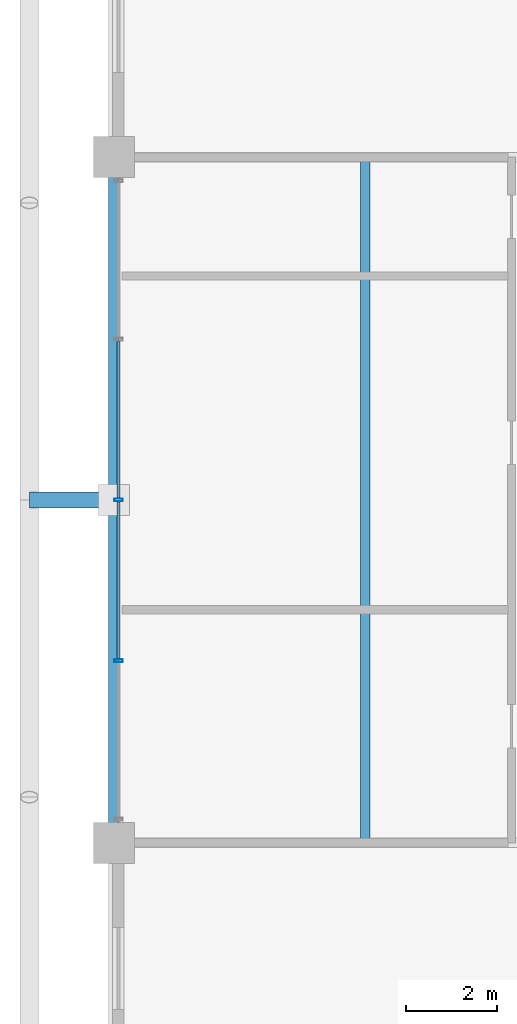
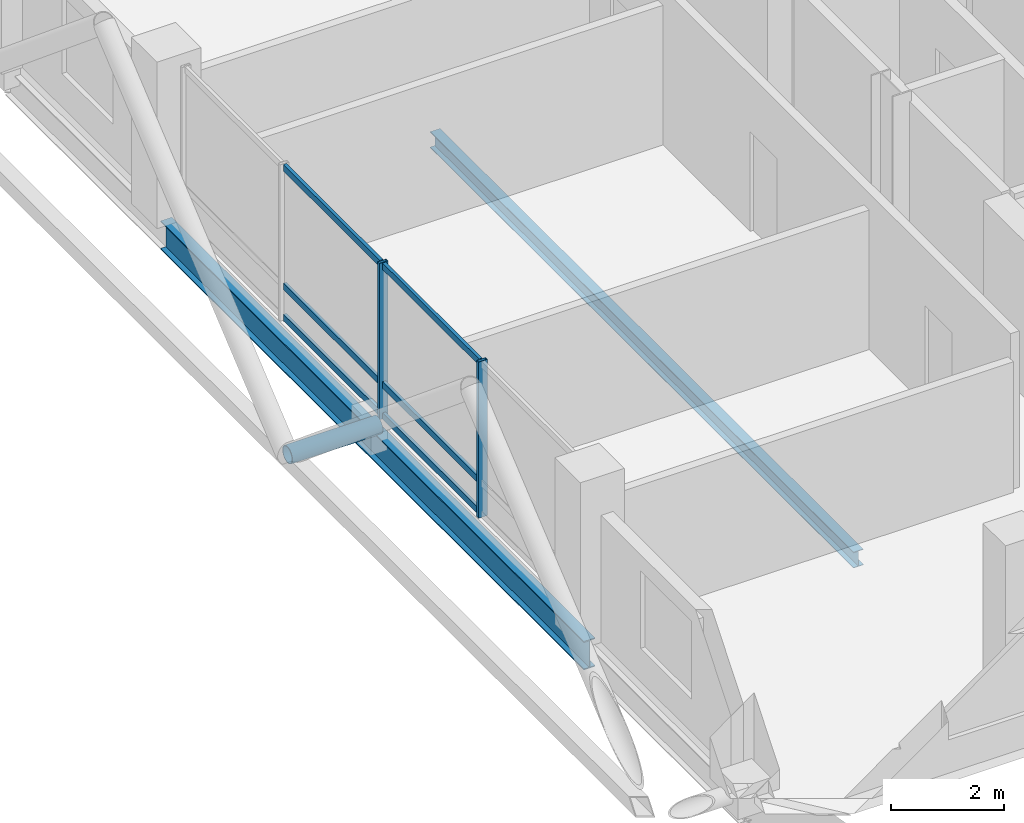
# One storey, part 8 of 24: 9 members, 2 beams, 1 element without a shape of its own.
"""IFC4 building model written with IfcOpenShell, lengths in metres."""

from ifc_helpers import new_model, si_unit, direction, frame, origin, origin_2d, place, context, subcontext, project, spatial, hollow_rectangle, hollow_circle, i_section, extrude, material, layer, layer_set, material_profile, profile_set, type_object, element, aggregate, save


model = new_model("IFC4")

# Units and contexts
model_context = context("Model", 3, precision=1e-05, world=origin(), true_north=direction((0.0, 1.0)))
body_context = subcontext(model_context, "Body", "Model", "MODEL_VIEW")
ifc_project = project(units=[si_unit("LENGTHUNIT", "METRE"), si_unit("AREAUNIT", "SQUARE_METRE"), si_unit("VOLUMEUNIT", "CUBIC_METRE"), si_unit("PLANEANGLEUNIT", "RADIAN"), si_unit("MASSUNIT", "GRAM", prefix="KILO")], contexts=[model_context])

# Site, building, storey
site_placement = place(None, origin())
site = spatial("IfcSite", under=ifc_project, at=site_placement, CompositionType="ELEMENT")
building_placement = place(site_placement, origin())
building = spatial("IfcBuilding", under=site, at=building_placement, Name="Barlavira Tower and Art Museum", CompositionType="ELEMENT")
storey_placement = place(building_placement, frame((0.0, 0.0, 272.699951171875)))
storey = spatial("IfcBuildingStorey", under=building, at=storey_placement, Name="L71", CompositionType="ELEMENT", Elevation=272.699951171875)

# Curtain wall, members
ifc_material_1 = material(Name="Low-iron coastal laminated glass", Category="glass")
ifc_layer = layer(ifc_material_1, 0.2099609375, Name="Low-iron coastal laminated glass")
ifc_layer_set = layer_set([ifc_layer], Name="Low-iron coastal laminated glass")
curtain_wall_type = type_object("IfcCurtainWallType", Name="Pale-Metal Unitised Curtain Wall Zone 4", PredefinedType="NOTDEFINED", material=ifc_layer_set)
curtain_wall_placement = place(storey_placement, origin())
curtain_wall = element("IfcCurtainWall", 1, at=curtain_wall_placement, inside=storey, type_object=curtain_wall_type, Name="L71 Curtain Wall CW4-L71-W-B3", PredefinedType="NOTDEFINED")
ifc_material_2 = material(Name="Pale anodised aluminium", Category="aluminium")
ifc_material_profile_1 = material_profile(ifc_material_2, hollow_rectangle(XDim=0.06494140625, YDim=0.179931640625, WallThickness=0.00390625, at=origin_2d()), Name="ALU-MULL 65x180x4")
ifc_profile_set_1 = profile_set([ifc_material_profile_1], Name="Pale anodised aluminium")
member_type_1 = type_object("IfcMemberType", Name="Curtain Wall Pale-Metal Mullion 65x180", PredefinedType="MULLION", material=ifc_profile_set_1)
member_1_placement = place(storey_placement, frame((-16.89990234375, 0.0, 0.0), z_axis=(0.0, 0.0, 1.0), x_axis=(0.0, -1.0, 0.0)))
member_1 = element("IfcMember", 2, at=member_1_placement, type_object=member_type_1, Name="CW4-L71-W-B3 Mullion 2", PredefinedType="MULLION", context=body_context, shape_type="SweptSolid", body=[
    extrude(hollow_rectangle(XDim=0.06494140625, YDim=0.179931640625, WallThickness=0.00390625, at=origin_2d()), origin(), (0.0, 0.0, 1.0), 3.380126953125),
])
member_2_placement = place(storey_placement, frame((-16.89990234375, -3.514892578125, 0.0), z_axis=(0.0, 0.0, 1.0), x_axis=(0.0, -1.0, 0.0)))
member_2 = element("IfcMember", 3, at=member_2_placement, type_object=member_type_1, Name="CW4-L71-W-B3 Mullion 3", PredefinedType="MULLION", context=body_context, shape_type="SweptSolid", body=[
    extrude(hollow_rectangle(XDim=0.06494140625, YDim=0.179931640625, WallThickness=0.00390625, at=origin_2d()), origin(), (0.0, 0.0, 1.0), 3.380126953125),
])
ifc_material_profile_2 = material_profile(ifc_material_2, hollow_rectangle(XDim=0.06494140625, YDim=0.139892578125, WallThickness=0.00390625, at=origin_2d()), Name="ALU-TRAN 65x140x4")
ifc_profile_set_2 = profile_set([ifc_material_profile_2], Name="Pale anodised aluminium")
member_type_2 = type_object("IfcMemberType", Name="Curtain Wall Pale-Metal Transom 65x140", PredefinedType="USERDEFINED", material=ifc_profile_set_2)
member_3_placement = place(storey_placement, frame((-16.89990234375, 3.469970703125, 0.070068359375), z_axis=(0.0, -1.0, 0.0), x_axis=(1.0, 0.0, 0.0)))
member_3 = element("IfcMember", 4, at=member_3_placement, type_object=member_type_2, Name="CW4-L71-W-B3 Transom 1.1", ObjectType="TRANSOM", PredefinedType="USERDEFINED", context=body_context, shape_type="SweptSolid", body=[
    extrude(hollow_rectangle(XDim=0.06494140625, YDim=0.139892578125, WallThickness=0.00390625, at=origin_2d()), origin(), (0.0, 0.0, 1.0), 3.425048828125),
])
member_4_placement = place(storey_placement, frame((-16.89990234375, 3.469970703125, 0.744140625), z_axis=(0.0, -1.0, 0.0), x_axis=(1.0, 0.0, 0.0)))
member_4 = element("IfcMember", 5, at=member_4_placement, type_object=member_type_2, Name="CW4-L71-W-B3 Transom 1.2", ObjectType="TRANSOM", PredefinedType="USERDEFINED", context=body_context, shape_type="SweptSolid", body=[
    extrude(hollow_rectangle(XDim=0.06494140625, YDim=0.139892578125, WallThickness=0.00390625, at=origin_2d()), origin(), (0.0, 0.0, 1.0), 3.425048828125),
])
member_5_placement = place(storey_placement, frame((-16.89990234375, 3.469970703125, 3.31005859375), z_axis=(0.0, -1.0, 0.0), x_axis=(1.0, 0.0, 0.0)))
member_5 = element("IfcMember", 6, at=member_5_placement, type_object=member_type_2, Name="CW4-L71-W-B3 Transom 1.3", ObjectType="TRANSOM", PredefinedType="USERDEFINED", context=body_context, shape_type="SweptSolid", body=[
    extrude(hollow_rectangle(XDim=0.06494140625, YDim=0.139892578125, WallThickness=0.00390625, at=origin_2d()), origin(), (0.0, 0.0, 1.0), 3.425048828125),
])
member_6_placement = place(storey_placement, frame((-16.89990234375, -0.044921875, 0.070068359375), z_axis=(0.0, -1.0, 0.0), x_axis=(1.0, 0.0, 0.0)))
member_6 = element("IfcMember", 7, at=member_6_placement, type_object=member_type_2, Name="CW4-L71-W-B3 Transom 2.1", ObjectType="TRANSOM", PredefinedType="USERDEFINED", context=body_context, shape_type="SweptSolid", body=[
    extrude(hollow_rectangle(XDim=0.06494140625, YDim=0.139892578125, WallThickness=0.00390625, at=origin_2d()), origin(), (0.0, 0.0, 1.0), 3.425048828125),
])
member_7_placement = place(storey_placement, frame((-16.89990234375, -0.044921875, 0.744140625), z_axis=(0.0, -1.0, 0.0), x_axis=(1.0, 0.0, 0.0)))
member_7 = element("IfcMember", 8, at=member_7_placement, type_object=member_type_2, Name="CW4-L71-W-B3 Transom 2.2", ObjectType="TRANSOM", PredefinedType="USERDEFINED", context=body_context, shape_type="SweptSolid", body=[
    extrude(hollow_rectangle(XDim=0.06494140625, YDim=0.139892578125, WallThickness=0.00390625, at=origin_2d()), origin(), (0.0, 0.0, 1.0), 3.425048828125),
])
member_8_placement = place(storey_placement, frame((-16.89990234375, -0.044921875, 3.31005859375), z_axis=(0.0, -1.0, 0.0), x_axis=(1.0, 0.0, 0.0)))
member_8 = element("IfcMember", 9, at=member_8_placement, type_object=member_type_2, Name="CW4-L71-W-B3 Transom 2.3", ObjectType="TRANSOM", PredefinedType="USERDEFINED", context=body_context, shape_type="SweptSolid", body=[
    extrude(hollow_rectangle(XDim=0.06494140625, YDim=0.139892578125, WallThickness=0.00390625, at=origin_2d()), origin(), (0.0, 0.0, 1.0), 3.425048828125),
])
aggregate(curtain_wall, [member_1, member_2, member_3, member_4, member_5, member_6, member_7, member_8])

# Member
ifc_material_3 = material(Name="Steel S355", Category="steel")
ifc_material_profile_3 = material_profile(ifc_material_3, hollow_circle(Radius=0.177734375, WallThickness=0.01611328125, at=origin_2d()), Name="CHS 355.6x16.0")
ifc_profile_set_3 = profile_set([ifc_material_profile_3], Name="Steel S355")
member_type_3 = type_object("IfcMemberType", Name="Pale-Metal Exoskeleton Tie Strut CHS 356x16 Steel S355", PredefinedType="STRUT", material=ifc_profile_set_3)
member_9_placement = place(storey_placement, frame((-18.85009765625, 0.0, -0.119873046875), z_axis=(1.0, 0.0, 0.0), x_axis=(0.0, 1.0, 0.0)))
element("IfcMember", 10, at=member_9_placement, inside=storey, type_object=member_type_3, Name="L71 Exoskeleton Tie Strut W2", PredefinedType="STRUT", context=body_context, shape_type="SweptSolid", body=[
    extrude(hollow_circle(Radius=0.177734375, WallThickness=0.01611328125, at=origin_2d()), origin(), (0.0, 0.0, 1.0), 1.85009765625),
])

# Beams
ifc_material_profile_4 = material_profile(ifc_material_3, i_section(OverallWidth=0.22998046875, OverallDepth=0.616943359375, WebThickness=0.01318359375, FlangeThickness=0.022216796875, at=origin_2d()), Name="W610x140.0")
ifc_profile_set_4 = profile_set([ifc_material_profile_4], Name="Steel S355")
beam_type_1 = type_object("IfcBeamType", Name="Upper Shaft Spandrel Edge Beam W610x140 Steel S355", PredefinedType="SPANDREL", material=ifc_profile_set_4)
beam_1_placement = place(storey_placement, frame((-17.0, -7.5, -0.528564453125), z_axis=(0.0, 1.0, 0.0), x_axis=(-1.0, 0.0, 0.0)))
element("IfcBeam", 11, at=beam_1_placement, inside=storey, type_object=beam_type_1, Name="L71 Spandrel 14", PredefinedType="SPANDREL", context=body_context, shape_type="SweptSolid", body=[
    extrude(i_section(OverallWidth=0.22998046875, OverallDepth=0.616943359375, WebThickness=0.01318359375, FlangeThickness=0.022216796875, at=origin_2d()), origin(), (0.0, 0.0, 1.0), 15.0),
])
ifc_material_profile_5 = material_profile(ifc_material_3, i_section(OverallWidth=0.202880859375, OverallDepth=0.346923828125, WebThickness=0.0078125, FlangeThickness=0.013427734375, at=origin_2d()), Name="W360x64.0")
ifc_profile_set_5 = profile_set([ifc_material_profile_5], Name="Steel S355")
beam_type_2 = type_object("IfcBeamType", Name="Zone 4 Composite Floor Joist W360x64 Steel S355", PredefinedType="JOIST", material=ifc_profile_set_5)
beam_2_placement = place(storey_placement, frame((-11.5, -7.5, -0.3935546875), z_axis=(0.0, 1.0, 0.0), x_axis=(-1.0, 0.0, 0.0)))
element("IfcBeam", 12, at=beam_2_placement, inside=storey, type_object=beam_type_2, Name="L71 Joist W1", PredefinedType="JOIST", context=body_context, shape_type="SweptSolid", body=[
    extrude(i_section(OverallWidth=0.202880859375, OverallDepth=0.346923828125, WebThickness=0.0078125, FlangeThickness=0.013427734375, at=origin_2d()), origin(), (0.0, 0.0, 1.0), 15.0),
])

save(model, "model.ifc")
